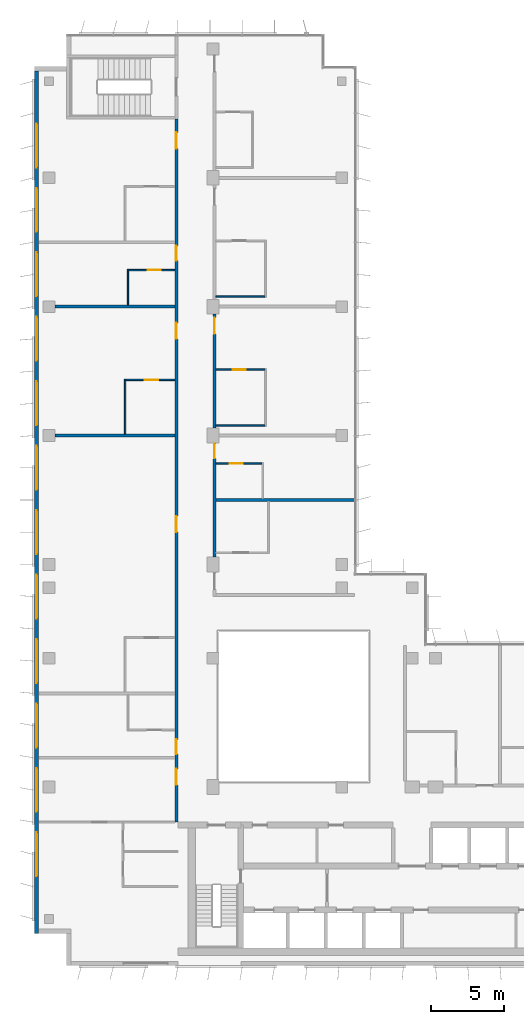
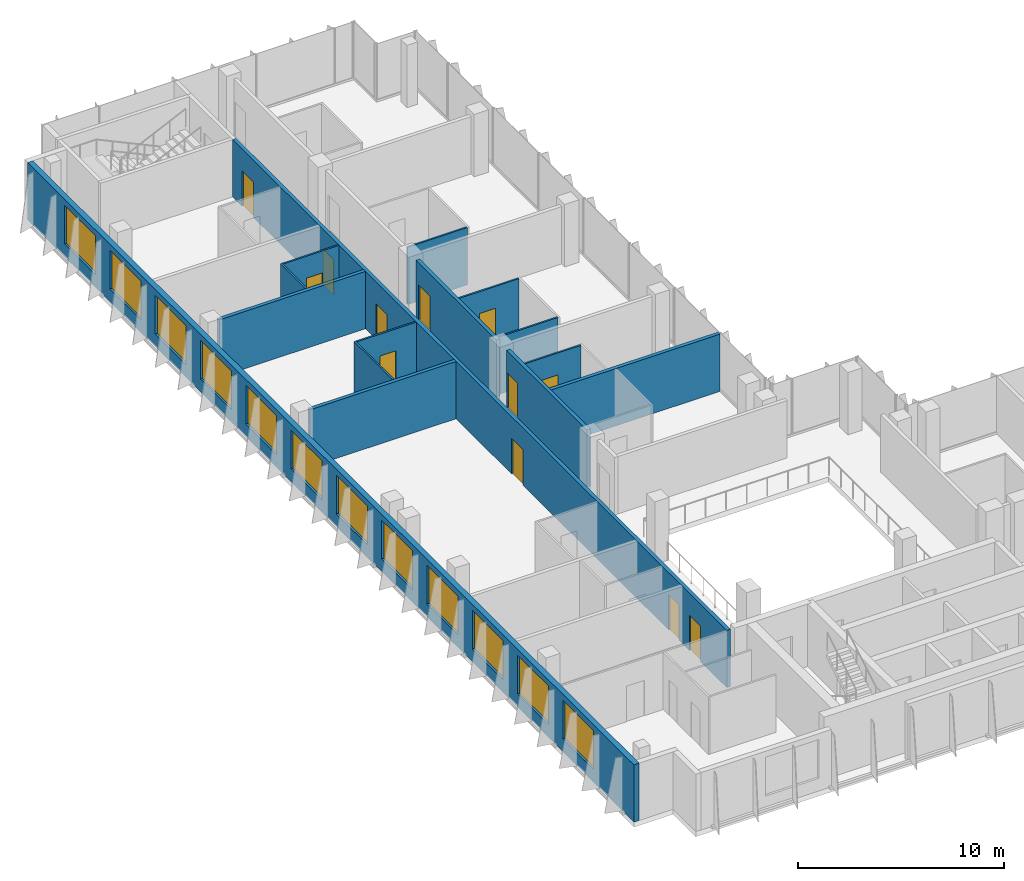
# One storey, part 11 of 15: 15 walls, 12 doors, 12 windows, 24 openings.
"""IFC4 building model written with IfcOpenShell, lengths in metres."""

from ifc_helpers import new_model, si_unit, direction, frame, frame_2d, origin, place, context, subcontext, project, spatial, rectangle, extrude, material, layer, layer_set, type_object, element, fill, save


model = new_model("IFC4")

# Units and contexts
model_context = context("Model", 3, precision=1e-05, world=origin(), true_north=direction((0.0, 1.0)))
body_context = subcontext(model_context, "Body", "Model", "MODEL_VIEW")
ifc_project = project(units=[si_unit("LENGTHUNIT", "METRE"), si_unit("AREAUNIT", "SQUARE_METRE"), si_unit("VOLUMEUNIT", "CUBIC_METRE"), si_unit("PLANEANGLEUNIT", "RADIAN"), si_unit("MASSUNIT", "GRAM", prefix="KILO")], contexts=[model_context])

# Site, building, storey
site_placement = place(None, origin())
site = spatial("IfcSite", under=ifc_project, at=site_placement, CompositionType="ELEMENT")
building_placement = place(site_placement, origin())
building = spatial("IfcBuilding", under=site, at=building_placement, Name="Kemantara Hotel Tower", CompositionType="ELEMENT")
storey_placement = place(building_placement, frame((0.0, 0.0, 233.89990234375)))
storey = spatial("IfcBuildingStorey", under=building, at=storey_placement, Name="L58", CompositionType="ELEMENT", Elevation=233.89990234375)

# Wall, openings, windows
ifc_material_1 = material(Name="Bronze anodised aluminium cladding on insulated steel stud wall", Category="steel")
ifc_layer_1 = layer(ifc_material_1, 0.300048828125)
ifc_layer_set_1 = layer_set([ifc_layer_1], Name="Bronze anodised aluminium cladding on insulated steel stud wall")
wall_type_1 = type_object("IfcWallType", Name="BRONZE METAL-CLAD EXTERNAL WALL 300", PredefinedType="STANDARD", material=ifc_layer_set_1)
wall_1_placement = place(storey_placement, frame((0.14990234375, 61.10009765625, 0.0), z_axis=(0.0, 0.0, 1.0), x_axis=(0.0, -1.0, 0.0)))
wall_1 = element("IfcWall", 1, at=wall_1_placement, inside=storey, type_object=wall_type_1, Name="EXTERNAL WALL L58 T4-R05", PredefinedType="STANDARD", context=body_context, shape_type="SweptSolid", body=[
    extrude(rectangle(XDim=58.900146484375, YDim=0.300048828125, at=frame_2d((29.4501953125, 0.0))), origin(), (0.0, 0.0, 1.0), 3.400146484375),
])
opening_1_placement = place(wall_1_placement, frame((3.60009765625, 0.0, 0.75)))
opening_1 = element("IfcOpeningElement", 2, at=opening_1_placement, cuts=wall_1, Name="Opening W1", PredefinedType="OPENING", context=body_context, shape_type="SweptSolid", body=[
    extrude(rectangle(XDim=3.0, YDim=2.300048828125, at=frame_2d((1.5, 1.14990234375))), frame((0.0, 0.159912109375, 0.0), z_axis=(0.0, -1.0, 0.0), x_axis=(1.0, 0.0, 0.0)), (0.0, 0.0, 1.0), 0.320068359375),
])
opening_2_placement = place(wall_1_placement, frame((8.0, 0.0, 0.75)))
opening_2 = element("IfcOpeningElement", 3, at=opening_2_placement, cuts=wall_1, Name="Opening W1", PredefinedType="OPENING", context=body_context, shape_type="SweptSolid", body=[
    extrude(rectangle(XDim=3.0, YDim=2.300048828125, at=frame_2d((1.5, 1.14990234375))), frame((0.0, 0.159912109375, 0.0), z_axis=(0.0, -1.0, 0.0), x_axis=(1.0, 0.0, 0.0)), (0.0, 0.0, 1.0), 0.320068359375),
])
opening_3_placement = place(wall_1_placement, frame((12.39990234375, 0.0, 0.75)))
opening_3 = element("IfcOpeningElement", 4, at=opening_3_placement, cuts=wall_1, Name="Opening W1", PredefinedType="OPENING", context=body_context, shape_type="SweptSolid", body=[
    extrude(rectangle(XDim=3.0, YDim=2.300048828125, at=frame_2d((1.5, 1.14990234375))), frame((0.0, 0.159912109375, 0.0), z_axis=(0.0, -1.0, 0.0), x_axis=(1.0, 0.0, 0.0)), (0.0, 0.0, 1.0), 0.320068359375),
])
opening_4_placement = place(wall_1_placement, frame((16.800048828125, 0.0, 0.75)))
opening_4 = element("IfcOpeningElement", 5, at=opening_4_placement, cuts=wall_1, Name="Opening W1", PredefinedType="OPENING", context=body_context, shape_type="SweptSolid", body=[
    extrude(rectangle(XDim=3.0, YDim=2.300048828125, at=frame_2d((1.5, 1.14990234375))), frame((0.0, 0.159912109375, 0.0), z_axis=(0.0, -1.0, 0.0), x_axis=(1.0, 0.0, 0.0)), (0.0, 0.0, 1.0), 0.320068359375),
])
opening_5_placement = place(wall_1_placement, frame((21.199951171875, 0.0, 0.75)))
opening_5 = element("IfcOpeningElement", 6, at=opening_5_placement, cuts=wall_1, Name="Opening W1", PredefinedType="OPENING", context=body_context, shape_type="SweptSolid", body=[
    extrude(rectangle(XDim=3.0, YDim=2.300048828125, at=frame_2d((1.5, 1.14990234375))), frame((0.0, 0.159912109375, 0.0), z_axis=(0.0, -1.0, 0.0), x_axis=(1.0, 0.0, 0.0)), (0.0, 0.0, 1.0), 0.320068359375),
])
opening_6_placement = place(wall_1_placement, frame((25.60009765625, 0.0, 0.75)))
opening_6 = element("IfcOpeningElement", 7, at=opening_6_placement, cuts=wall_1, Name="Opening W1", PredefinedType="OPENING", context=body_context, shape_type="SweptSolid", body=[
    extrude(rectangle(XDim=3.0, YDim=2.300048828125, at=frame_2d((1.5, 1.14990234375))), frame((0.0, 0.159912109375, 0.0), z_axis=(0.0, -1.0, 0.0), x_axis=(1.0, 0.0, 0.0)), (0.0, 0.0, 1.0), 0.320068359375),
])
opening_7_placement = place(wall_1_placement, frame((30.0, 0.0, 0.75)))
opening_7 = element("IfcOpeningElement", 8, at=opening_7_placement, cuts=wall_1, Name="Opening W1", PredefinedType="OPENING", context=body_context, shape_type="SweptSolid", body=[
    extrude(rectangle(XDim=3.0, YDim=2.300048828125, at=frame_2d((1.5, 1.14990234375))), frame((0.0, 0.159912109375, 0.0), z_axis=(0.0, -1.0, 0.0), x_axis=(1.0, 0.0, 0.0)), (0.0, 0.0, 1.0), 0.320068359375),
])
opening_8_placement = place(wall_1_placement, frame((34.39990234375, 0.0, 0.75)))
opening_8 = element("IfcOpeningElement", 9, at=opening_8_placement, cuts=wall_1, Name="Opening W1", PredefinedType="OPENING", context=body_context, shape_type="SweptSolid", body=[
    extrude(rectangle(XDim=3.0, YDim=2.300048828125, at=frame_2d((1.5, 1.14990234375))), frame((0.0, 0.159912109375, 0.0), z_axis=(0.0, -1.0, 0.0), x_axis=(1.0, 0.0, 0.0)), (0.0, 0.0, 1.0), 0.320068359375),
])
opening_9_placement = place(wall_1_placement, frame((38.800048828125, 0.0, 0.75)))
opening_9 = element("IfcOpeningElement", 10, at=opening_9_placement, cuts=wall_1, Name="Opening W1", PredefinedType="OPENING", context=body_context, shape_type="SweptSolid", body=[
    extrude(rectangle(XDim=3.0, YDim=2.300048828125, at=frame_2d((1.5, 1.14990234375))), frame((0.0, 0.159912109375, 0.0), z_axis=(0.0, -1.0, 0.0), x_axis=(1.0, 0.0, 0.0)), (0.0, 0.0, 1.0), 0.320068359375),
])
opening_10_placement = place(wall_1_placement, frame((43.199951171875, 0.0, 0.75)))
opening_10 = element("IfcOpeningElement", 11, at=opening_10_placement, cuts=wall_1, Name="Opening W1", PredefinedType="OPENING", context=body_context, shape_type="SweptSolid", body=[
    extrude(rectangle(XDim=3.0, YDim=2.300048828125, at=frame_2d((1.5, 1.14990234375))), frame((0.0, 0.159912109375, 0.0), z_axis=(0.0, -1.0, 0.0), x_axis=(1.0, 0.0, 0.0)), (0.0, 0.0, 1.0), 0.320068359375),
])
opening_11_placement = place(wall_1_placement, frame((47.60009765625, 0.0, 0.75)))
opening_11 = element("IfcOpeningElement", 12, at=opening_11_placement, cuts=wall_1, Name="Opening W1", PredefinedType="OPENING", context=body_context, shape_type="SweptSolid", body=[
    extrude(rectangle(XDim=3.0, YDim=2.300048828125, at=frame_2d((1.5, 1.14990234375))), frame((0.0, 0.159912109375, 0.0), z_axis=(0.0, -1.0, 0.0), x_axis=(1.0, 0.0, 0.0)), (0.0, 0.0, 1.0), 0.320068359375),
])
opening_12_placement = place(wall_1_placement, frame((52.0, 0.0, 0.75)))
opening_12 = element("IfcOpeningElement", 13, at=opening_12_placement, cuts=wall_1, Name="Opening W1", PredefinedType="OPENING", context=body_context, shape_type="SweptSolid", body=[
    extrude(rectangle(XDim=3.0, YDim=2.300048828125, at=frame_2d((1.5, 1.14990234375))), frame((0.0, 0.159912109375, 0.0), z_axis=(0.0, -1.0, 0.0), x_axis=(1.0, 0.0, 0.0)), (0.0, 0.0, 1.0), 0.320068359375),
])
ifc_material_2 = material(Name="Low-E tinted double insulated glass in bronze anodised aluminium frame", Category="aluminium")
window_type = type_object("IfcWindowType", Name="CHICAGO WINDOW, TRIPLE PANEL 3000x2300", PartitioningType="TRIPLE_PANEL_VERTICAL", PredefinedType="WINDOW", material=ifc_material_2)
window_1_placement = place(opening_1_placement, origin())
window_1 = element("IfcWindow", 14, at=window_1_placement, inside=storey, type_object=window_type, Name="CHICAGO WINDOW L58 T4-R05-54", OverallHeight=2.300048828125, OverallWidth=3.0, PartitioningType="SINGLE_PANEL", PredefinedType="WINDOW", context=body_context, shape_type="SweptSolid", body=[
    extrude(rectangle(XDim=3.0, YDim=2.300048828125, at=frame_2d((1.5, 1.14990234375))), frame((0.0, 0.030029296875, 0.0), z_axis=(0.0, -1.0, 0.0), x_axis=(1.0, 0.0, 0.0)), (0.0, 0.0, 1.0), 0.06005859375),
])
fill(opening_1, window_1)
window_2_placement = place(opening_2_placement, origin())
window_2 = element("IfcWindow", 15, at=window_2_placement, inside=storey, type_object=window_type, Name="CHICAGO WINDOW L58 T4-R05-98", OverallHeight=2.300048828125, OverallWidth=3.0, PartitioningType="SINGLE_PANEL", PredefinedType="WINDOW", context=body_context, shape_type="SweptSolid", body=[
    extrude(rectangle(XDim=3.0, YDim=2.300048828125, at=frame_2d((1.5, 1.14990234375))), frame((0.0, 0.030029296875, 0.0), z_axis=(0.0, -1.0, 0.0), x_axis=(1.0, 0.0, 0.0)), (0.0, 0.0, 1.0), 0.06005859375),
])
fill(opening_2, window_2)
window_3_placement = place(opening_3_placement, origin())
window_3 = element("IfcWindow", 16, at=window_3_placement, inside=storey, type_object=window_type, Name="CHICAGO WINDOW L58 T4-R05-142", OverallHeight=2.300048828125, OverallWidth=3.0, PartitioningType="SINGLE_PANEL", PredefinedType="WINDOW", context=body_context, shape_type="SweptSolid", body=[
    extrude(rectangle(XDim=3.0, YDim=2.300048828125, at=frame_2d((1.5, 1.14990234375))), frame((0.0, 0.030029296875, 0.0), z_axis=(0.0, -1.0, 0.0), x_axis=(1.0, 0.0, 0.0)), (0.0, 0.0, 1.0), 0.06005859375),
])
fill(opening_3, window_3)
window_4_placement = place(opening_4_placement, origin())
window_4 = element("IfcWindow", 17, at=window_4_placement, inside=storey, type_object=window_type, Name="CHICAGO WINDOW L58 T4-R05-186", OverallHeight=2.300048828125, OverallWidth=3.0, PartitioningType="SINGLE_PANEL", PredefinedType="WINDOW", context=body_context, shape_type="SweptSolid", body=[
    extrude(rectangle(XDim=3.0, YDim=2.300048828125, at=frame_2d((1.5, 1.14990234375))), frame((0.0, 0.030029296875, 0.0), z_axis=(0.0, -1.0, 0.0), x_axis=(1.0, 0.0, 0.0)), (0.0, 0.0, 1.0), 0.06005859375),
])
fill(opening_4, window_4)
window_5_placement = place(opening_5_placement, origin())
window_5 = element("IfcWindow", 18, at=window_5_placement, inside=storey, type_object=window_type, Name="CHICAGO WINDOW L58 T4-R05-230", OverallHeight=2.300048828125, OverallWidth=3.0, PartitioningType="SINGLE_PANEL", PredefinedType="WINDOW", context=body_context, shape_type="SweptSolid", body=[
    extrude(rectangle(XDim=3.0, YDim=2.300048828125, at=frame_2d((1.5, 1.14990234375))), frame((0.0, 0.030029296875, 0.0), z_axis=(0.0, -1.0, 0.0), x_axis=(1.0, 0.0, 0.0)), (0.0, 0.0, 1.0), 0.06005859375),
])
fill(opening_5, window_5)
window_6_placement = place(opening_6_placement, origin())
window_6 = element("IfcWindow", 19, at=window_6_placement, inside=storey, type_object=window_type, Name="CHICAGO WINDOW L58 T4-R05-274", OverallHeight=2.300048828125, OverallWidth=3.0, PartitioningType="SINGLE_PANEL", PredefinedType="WINDOW", context=body_context, shape_type="SweptSolid", body=[
    extrude(rectangle(XDim=3.0, YDim=2.300048828125, at=frame_2d((1.5, 1.14990234375))), frame((0.0, 0.030029296875, 0.0), z_axis=(0.0, -1.0, 0.0), x_axis=(1.0, 0.0, 0.0)), (0.0, 0.0, 1.0), 0.06005859375),
])
fill(opening_6, window_6)
window_7_placement = place(opening_7_placement, origin())
window_7 = element("IfcWindow", 20, at=window_7_placement, inside=storey, type_object=window_type, Name="CHICAGO WINDOW L58 T4-R05-318", OverallHeight=2.300048828125, OverallWidth=3.0, PartitioningType="SINGLE_PANEL", PredefinedType="WINDOW", context=body_context, shape_type="SweptSolid", body=[
    extrude(rectangle(XDim=3.0, YDim=2.300048828125, at=frame_2d((1.5, 1.14990234375))), frame((0.0, 0.030029296875, 0.0), z_axis=(0.0, -1.0, 0.0), x_axis=(1.0, 0.0, 0.0)), (0.0, 0.0, 1.0), 0.06005859375),
])
fill(opening_7, window_7)
window_8_placement = place(opening_8_placement, origin())
window_8 = element("IfcWindow", 21, at=window_8_placement, inside=storey, type_object=window_type, Name="CHICAGO WINDOW L58 T4-R05-362", OverallHeight=2.300048828125, OverallWidth=3.0, PartitioningType="SINGLE_PANEL", PredefinedType="WINDOW", context=body_context, shape_type="SweptSolid", body=[
    extrude(rectangle(XDim=3.0, YDim=2.300048828125, at=frame_2d((1.5, 1.14990234375))), frame((0.0, 0.030029296875, 0.0), z_axis=(0.0, -1.0, 0.0), x_axis=(1.0, 0.0, 0.0)), (0.0, 0.0, 1.0), 0.06005859375),
])
fill(opening_8, window_8)
window_9_placement = place(opening_9_placement, origin())
window_9 = element("IfcWindow", 22, at=window_9_placement, inside=storey, type_object=window_type, Name="CHICAGO WINDOW L58 T4-R05-406", OverallHeight=2.300048828125, OverallWidth=3.0, PartitioningType="SINGLE_PANEL", PredefinedType="WINDOW", context=body_context, shape_type="SweptSolid", body=[
    extrude(rectangle(XDim=3.0, YDim=2.300048828125, at=frame_2d((1.5, 1.14990234375))), frame((0.0, 0.030029296875, 0.0), z_axis=(0.0, -1.0, 0.0), x_axis=(1.0, 0.0, 0.0)), (0.0, 0.0, 1.0), 0.06005859375),
])
fill(opening_9, window_9)
window_10_placement = place(opening_10_placement, origin())
window_10 = element("IfcWindow", 23, at=window_10_placement, inside=storey, type_object=window_type, Name="CHICAGO WINDOW L58 T4-R05-450", OverallHeight=2.300048828125, OverallWidth=3.0, PartitioningType="SINGLE_PANEL", PredefinedType="WINDOW", context=body_context, shape_type="SweptSolid", body=[
    extrude(rectangle(XDim=3.0, YDim=2.300048828125, at=frame_2d((1.5, 1.14990234375))), frame((0.0, 0.030029296875, 0.0), z_axis=(0.0, -1.0, 0.0), x_axis=(1.0, 0.0, 0.0)), (0.0, 0.0, 1.0), 0.06005859375),
])
fill(opening_10, window_10)
window_11_placement = place(opening_11_placement, origin())
window_11 = element("IfcWindow", 24, at=window_11_placement, inside=storey, type_object=window_type, Name="CHICAGO WINDOW L58 T4-R05-494", OverallHeight=2.300048828125, OverallWidth=3.0, PartitioningType="SINGLE_PANEL", PredefinedType="WINDOW", context=body_context, shape_type="SweptSolid", body=[
    extrude(rectangle(XDim=3.0, YDim=2.300048828125, at=frame_2d((1.5, 1.14990234375))), frame((0.0, 0.030029296875, 0.0), z_axis=(0.0, -1.0, 0.0), x_axis=(1.0, 0.0, 0.0)), (0.0, 0.0, 1.0), 0.06005859375),
])
fill(opening_11, window_11)
window_12_placement = place(opening_12_placement, origin())
window_12 = element("IfcWindow", 25, at=window_12_placement, inside=storey, type_object=window_type, Name="CHICAGO WINDOW L58 T4-R05-538", OverallHeight=2.300048828125, OverallWidth=3.0, PartitioningType="SINGLE_PANEL", PredefinedType="WINDOW", context=body_context, shape_type="SweptSolid", body=[
    extrude(rectangle(XDim=3.0, YDim=2.300048828125, at=frame_2d((1.5, 1.14990234375))), frame((0.0, 0.030029296875, 0.0), z_axis=(0.0, -1.0, 0.0), x_axis=(1.0, 0.0, 0.0)), (0.0, 0.0, 1.0), 0.06005859375),
])
fill(opening_12, window_12)

# Wall, openings, doors
ifc_material_3 = material(Name="Gypsum board partition, steel studs and mineral wool, 200 mm", Category="steel")
ifc_layer_2 = layer(ifc_material_3, 0.199951171875)
ifc_layer_set_2 = layer_set([ifc_layer_2], Name="Gypsum board partition, steel studs and mineral wool, 200 mm")
wall_type_2 = type_object("IfcWallType", Name="CORRIDOR WALL 200", PredefinedType="PARTITIONING", material=ifc_layer_set_2)
wall_2_placement = place(storey_placement, frame((9.699951171875, 9.800048828125, 0.0), z_axis=(0.0, 0.0, 1.0), x_axis=(0.0, 1.0, 0.0)))
wall_2 = element("IfcWall", 26, at=wall_2_placement, inside=storey, type_object=wall_type_2, Name="CORRIDOR WALL 200 006", PredefinedType="PARTITIONING", context=body_context, shape_type="SweptSolid", body=[
    extrude(rectangle(XDim=48.0, YDim=0.199951171875, at=frame_2d((24.0, 0.0))), origin(), (0.0, 0.0, 1.0), 3.400146484375),
])
opening_13_placement = place(wall_2_placement, frame((2.550048828125, 0.0, 0.0)))
opening_13 = element("IfcOpeningElement", 27, at=opening_13_placement, cuts=wall_2, Name="Opening F28-005", PredefinedType="OPENING", context=body_context, shape_type="SweptSolid", body=[
    extrude(rectangle(XDim=1.10009765625, YDim=2.10009765625, at=frame_2d((0.550048828125, 1.050048828125))), frame((0.0, 0.10986328125, 0.0), z_axis=(0.0, -1.0, 0.0), x_axis=(1.0, 0.0, 0.0)), (0.0, 0.0, 1.0), 0.219970703125),
])
opening_14_placement = place(wall_2_placement, frame((4.64990234375, 0.0, 0.0)))
opening_14 = element("IfcOpeningElement", 28, at=opening_14_placement, cuts=wall_2, Name="Opening F28-009", PredefinedType="OPENING", context=body_context, shape_type="SweptSolid", body=[
    extrude(rectangle(XDim=1.0, YDim=2.10009765625, at=frame_2d((0.5, 1.050048828125))), frame((0.0, 0.10986328125, 0.0), z_axis=(0.0, -1.0, 0.0), x_axis=(1.0, 0.0, 0.0)), (0.0, 0.0, 1.0), 0.219970703125),
])
opening_15_placement = place(wall_2_placement, frame((19.800048828125, 0.0, 0.0)))
opening_15 = element("IfcOpeningElement", 29, at=opening_15_placement, cuts=wall_2, Name="Opening F28-011", PredefinedType="OPENING", context=body_context, shape_type="SweptSolid", body=[
    extrude(rectangle(XDim=1.10009765625, YDim=2.10009765625, at=frame_2d((0.550048828125, 1.050048828125))), frame((0.0, 0.10986328125, 0.0), z_axis=(0.0, -1.0, 0.0), x_axis=(1.0, 0.0, 0.0)), (0.0, 0.0, 1.0), 0.219970703125),
])
opening_16_placement = place(wall_2_placement, frame((33.0, 0.0, 0.0)))
opening_16 = element("IfcOpeningElement", 30, at=opening_16_placement, cuts=wall_2, Name="Opening F28-013", PredefinedType="OPENING", context=body_context, shape_type="SweptSolid", body=[
    extrude(rectangle(XDim=1.10009765625, YDim=2.10009765625, at=frame_2d((0.550048828125, 1.050048828125))), frame((0.0, 0.10986328125, 0.0), z_axis=(0.0, -1.0, 0.0), x_axis=(1.0, 0.0, 0.0)), (0.0, 0.0, 1.0), 0.219970703125),
])
opening_17_placement = place(wall_2_placement, frame((38.35009765625, 0.0, 0.0)))
opening_17 = element("IfcOpeningElement", 31, at=opening_17_placement, cuts=wall_2, Name="Opening F28-015", PredefinedType="OPENING", context=body_context, shape_type="SweptSolid", body=[
    extrude(rectangle(XDim=1.0, YDim=2.10009765625, at=frame_2d((0.5, 1.050048828125))), frame((0.0, 0.10986328125, 0.0), z_axis=(0.0, -1.0, 0.0), x_axis=(1.0, 0.0, 0.0)), (0.0, 0.0, 1.0), 0.219970703125),
])
opening_18_placement = place(wall_2_placement, frame((46.0, 0.0, 0.0)))
opening_18 = element("IfcOpeningElement", 32, at=opening_18_placement, cuts=wall_2, Name="Opening F28-017", PredefinedType="OPENING", context=body_context, shape_type="SweptSolid", body=[
    extrude(rectangle(XDim=1.10009765625, YDim=2.10009765625, at=frame_2d((0.550048828125, 1.050048828125))), frame((0.0, 0.10986328125, 0.0), z_axis=(0.0, -1.0, 0.0), x_axis=(1.0, 0.0, 0.0)), (0.0, 0.0, 1.0), 0.219970703125),
])
ifc_material_4 = material(Name="Hardwood veneer door leaf with steel frame", Category="steel")
door_type_1 = type_object("IfcDoorType", Name="GUEST ROOM DOOR 1000 X 2100 FD30S", OperationType="NOTDEFINED", PredefinedType="DOOR", material=ifc_material_4)
door_1_placement = place(opening_14_placement, origin())
door_1 = element("IfcDoor", 33, at=door_1_placement, inside=storey, type_object=door_type_1, Name="GUEST ROOM DOOR F28-009", OperationType="SINGLE_SWING_LEFT", OverallHeight=2.10009765625, OverallWidth=1.0, PredefinedType="DOOR", context=body_context, shape_type="SweptSolid", body=[
    extrude(rectangle(XDim=1.0, YDim=2.10009765625, at=frame_2d((0.5, 1.050048828125))), frame((0.0, 0.02490234375, 0.0), z_axis=(0.0, -1.0, 0.0), x_axis=(1.0, 0.0, 0.0)), (0.0, 0.0, 1.0), 0.050048828125),
])
fill(opening_14, door_1)
door_2_placement = place(opening_17_placement, origin())
door_2 = element("IfcDoor", 34, at=door_2_placement, inside=storey, type_object=door_type_1, Name="GUEST ROOM DOOR F28-015", OperationType="SINGLE_SWING_RIGHT", OverallHeight=2.10009765625, OverallWidth=1.0, PredefinedType="DOOR", context=body_context, shape_type="SweptSolid", body=[
    extrude(rectangle(XDim=1.0, YDim=2.10009765625, at=frame_2d((0.5, 1.050048828125))), frame((0.0, 0.02490234375, 0.0), z_axis=(0.0, -1.0, 0.0), x_axis=(1.0, 0.0, 0.0)), (0.0, 0.0, 1.0), 0.050048828125),
])
fill(opening_17, door_2)
door_type_2 = type_object("IfcDoorType", Name="SUITE ENTRANCE DOOR 1100 X 2100 FD30S", OperationType="NOTDEFINED", PredefinedType="DOOR", material=ifc_material_4)
door_3_placement = place(opening_13_placement, origin())
door_3 = element("IfcDoor", 35, at=door_3_placement, inside=storey, type_object=door_type_2, Name="SUITE ENTRANCE DOOR F28-005", OperationType="SINGLE_SWING_RIGHT", OverallHeight=2.10009765625, OverallWidth=1.10009765625, PredefinedType="DOOR", context=body_context, shape_type="SweptSolid", body=[
    extrude(rectangle(XDim=1.10009765625, YDim=2.10009765625, at=frame_2d((0.550048828125, 1.050048828125))), frame((0.0, 0.02490234375, 0.0), z_axis=(0.0, -1.0, 0.0), x_axis=(1.0, 0.0, 0.0)), (0.0, 0.0, 1.0), 0.050048828125),
])
fill(opening_13, door_3)
door_4_placement = place(opening_15_placement, origin())
door_4 = element("IfcDoor", 36, at=door_4_placement, inside=storey, type_object=door_type_2, Name="SUITE ENTRANCE DOOR F28-011", OperationType="SINGLE_SWING_RIGHT", OverallHeight=2.10009765625, OverallWidth=1.10009765625, PredefinedType="DOOR", context=body_context, shape_type="SweptSolid", body=[
    extrude(rectangle(XDim=1.10009765625, YDim=2.10009765625, at=frame_2d((0.550048828125, 1.050048828125))), frame((0.0, 0.02490234375, 0.0), z_axis=(0.0, -1.0, 0.0), x_axis=(1.0, 0.0, 0.0)), (0.0, 0.0, 1.0), 0.050048828125),
])
fill(opening_15, door_4)
door_5_placement = place(opening_16_placement, origin())
door_5 = element("IfcDoor", 37, at=door_5_placement, inside=storey, type_object=door_type_2, Name="SUITE ENTRANCE DOOR F28-013", OperationType="SINGLE_SWING_RIGHT", OverallHeight=2.10009765625, OverallWidth=1.10009765625, PredefinedType="DOOR", context=body_context, shape_type="SweptSolid", body=[
    extrude(rectangle(XDim=1.10009765625, YDim=2.10009765625, at=frame_2d((0.550048828125, 1.050048828125))), frame((0.0, 0.02490234375, 0.0), z_axis=(0.0, -1.0, 0.0), x_axis=(1.0, 0.0, 0.0)), (0.0, 0.0, 1.0), 0.050048828125),
])
fill(opening_16, door_5)
door_6_placement = place(opening_18_placement, origin())
door_6 = element("IfcDoor", 38, at=door_6_placement, inside=storey, type_object=door_type_2, Name="SUITE ENTRANCE DOOR F28-017", OperationType="SINGLE_SWING_RIGHT", OverallHeight=2.10009765625, OverallWidth=1.10009765625, PredefinedType="DOOR", context=body_context, shape_type="SweptSolid", body=[
    extrude(rectangle(XDim=1.10009765625, YDim=2.10009765625, at=frame_2d((0.550048828125, 1.050048828125))), frame((0.0, 0.02490234375, 0.0), z_axis=(0.0, -1.0, 0.0), x_axis=(1.0, 0.0, 0.0)), (0.0, 0.0, 1.0), 0.050048828125),
])
fill(opening_18, door_6)

# Wall, opening, door
wall_3_placement = place(storey_placement, frame((12.300048828125, 35.699951171875, 0.0), z_axis=(0.0, 0.0, 1.0), x_axis=(0.0, -1.0, 0.0)))
wall_3 = element("IfcWall", 39, at=wall_3_placement, inside=storey, type_object=wall_type_2, Name="CORRIDOR WALL 200 016", PredefinedType="PARTITIONING", context=body_context, shape_type="SweptSolid", body=[
    extrude(rectangle(XDim=7.7998046875, YDim=0.199951171875, at=frame_2d((3.89990234375, 0.0))), origin(), (0.0, 0.0, 1.0), 3.400146484375),
])
opening_19_placement = place(wall_3_placement, frame((0.0498046875, 0.0, 0.0)))
opening_19 = element("IfcOpeningElement", 40, at=opening_19_placement, cuts=wall_3, Name="Opening F28-021", PredefinedType="OPENING", context=body_context, shape_type="SweptSolid", body=[
    extrude(rectangle(XDim=1.0, YDim=2.10009765625, at=frame_2d((0.5, 1.050048828125))), frame((0.0, 0.10986328125, 0.0), z_axis=(0.0, -1.0, 0.0), x_axis=(1.0, 0.0, 0.0)), (0.0, 0.0, 1.0), 0.219970703125),
])
door_7_placement = place(opening_19_placement, origin())
door_7 = element("IfcDoor", 41, at=door_7_placement, inside=storey, type_object=door_type_1, Name="GUEST ROOM DOOR F28-021", OperationType="SINGLE_SWING_LEFT", OverallHeight=2.10009765625, OverallWidth=1.0, PredefinedType="DOOR", context=body_context, shape_type="SweptSolid", body=[
    extrude(rectangle(XDim=1.0, YDim=2.10009765625, at=frame_2d((0.5, 1.050048828125))), frame((0.0, 0.02490234375, 0.0), z_axis=(0.0, -1.0, 0.0), x_axis=(1.0, 0.0, 0.0)), (0.0, 0.0, 1.0), 0.050048828125),
])
fill(opening_19, door_7)

wall_4_placement = place(storey_placement, frame((12.300048828125, 44.5, 0.0), z_axis=(0.0, 0.0, 1.0), x_axis=(0.0, -1.0, 0.0)))
wall_4 = element("IfcWall", 42, at=wall_4_placement, inside=storey, type_object=wall_type_2, Name="CORRIDOR WALL 200 017", PredefinedType="PARTITIONING", context=body_context, shape_type="SweptSolid", body=[
    extrude(rectangle(XDim=7.7998046875, YDim=0.199951171875, at=frame_2d((3.89990234375, 0.0))), origin(), (0.0, 0.0, 1.0), 3.400146484375),
])
opening_20_placement = place(wall_4_placement, frame((0.25, 0.0, 0.0)))
opening_20 = element("IfcOpeningElement", 43, at=opening_20_placement, cuts=wall_4, Name="Opening F28-023", PredefinedType="OPENING", context=body_context, shape_type="SweptSolid", body=[
    extrude(rectangle(XDim=1.10009765625, YDim=2.10009765625, at=frame_2d((0.550048828125, 1.050048828125))), frame((0.0, 0.10986328125, 0.0), z_axis=(0.0, -1.0, 0.0), x_axis=(1.0, 0.0, 0.0)), (0.0, 0.0, 1.0), 0.219970703125),
])
door_8_placement = place(opening_20_placement, origin())
door_8 = element("IfcDoor", 44, at=door_8_placement, inside=storey, type_object=door_type_2, Name="SUITE ENTRANCE DOOR F28-023", OperationType="SINGLE_SWING_LEFT", OverallHeight=2.10009765625, OverallWidth=1.10009765625, PredefinedType="DOOR", context=body_context, shape_type="SweptSolid", body=[
    extrude(rectangle(XDim=1.10009765625, YDim=2.10009765625, at=frame_2d((0.550048828125, 1.050048828125))), frame((0.0, 0.02490234375, 0.0), z_axis=(0.0, -1.0, 0.0), x_axis=(1.0, 0.0, 0.0)), (0.0, 0.0, 1.0), 0.050048828125),
])
fill(opening_20, door_8)

# Walls
ifc_layer_3 = layer(ifc_material_3, 0.199951171875)
ifc_layer_set_3 = layer_set([ifc_layer_3], Name="Gypsum board partition, steel studs and mineral wool, 200 mm")
wall_type_3 = type_object("IfcWallType", Name="GUEST ROOM PARTY WALL 200", PredefinedType="PARTITIONING", material=ifc_layer_set_3)
for number, where, z_axis, x_axis, name in (
    (45, (1.400146484375, 36.199951171875, 0.0), (0.0, 0.0, 1.0), (1.0, 0.0, 0.0), "GUEST ROOM PARTY WALL 200 010"),
    (46, (1.400146484375, 45.0, 0.0), (0.0, 0.0, 1.0), (1.0, 0.0, 0.0), "GUEST ROOM PARTY WALL 200 012"),
):
    element("IfcWall", number, at=place(storey_placement, frame(where, z_axis=z_axis, x_axis=x_axis)), inside=storey, type_object=wall_type_3, Name=name, PredefinedType="PARTITIONING", context=body_context, shape_type="SweptSolid", body=[
        extrude(rectangle(XDim=8.199951171875, YDim=0.199951171875, at=frame_2d((4.10009765625, 0.0))), origin(), (0.0, 0.0, 1.0), 3.400146484375),
    ])
wall_5_placement = place(storey_placement, frame((12.39990234375, 31.800048828125, 0.0), z_axis=(0.0, 0.0, 1.0), x_axis=(1.0, 0.0, 0.0)))
element("IfcWall", 47, at=wall_5_placement, inside=storey, type_object=wall_type_3, Name="GUEST ROOM PARTY WALL 200 021", PredefinedType="PARTITIONING", context=body_context, shape_type="SweptSolid", body=[
    extrude(rectangle(XDim=9.47021484375, YDim=0.199951171875, at=frame_2d((4.735107421875, 0.0))), origin(), (0.0, 0.0, 1.0), 3.400146484375),
])
ifc_material_5 = material(Name="Gypsum board partition on steel studs, 100 mm", Category="steel")
ifc_layer_4 = layer(ifc_material_5, 0.10009765625)
ifc_layer_set_4 = layer_set([ifc_layer_4], Name="Gypsum board partition on steel studs, 100 mm")
wall_type_4 = type_object("IfcWallType", Name="ROOM PARTITION 100", PredefinedType="PARTITIONING", material=ifc_layer_set_4)
wall_6_placement = place(storey_placement, frame((6.39990234375, 45.10009765625, 0.0), z_axis=(0.0, 0.0, 1.0), x_axis=(0.0, 1.0, 0.0)))
element("IfcWall", 48, at=wall_6_placement, inside=storey, type_object=wall_type_4, Name="ROOM PARTITION 100 032", PredefinedType="PARTITIONING", context=body_context, shape_type="SweptSolid", body=[
    extrude(rectangle(XDim=2.449951171875, YDim=0.10009765625, at=frame_2d((1.22509765625, 0.0))), origin(), (0.0, 0.0, 1.0), 3.400146484375),
])
wall_7_placement = place(storey_placement, frame((6.199951171875, 36.300048828125, 0.0), z_axis=(0.0, 0.0, 1.0), x_axis=(0.0, 1.0, 0.0)))
element("IfcWall", 49, at=wall_7_placement, inside=storey, type_object=wall_type_4, Name="ROOM PARTITION 100 035", PredefinedType="PARTITIONING", context=body_context, shape_type="SweptSolid", body=[
    extrude(rectangle(XDim=3.75, YDim=0.10009765625, at=frame_2d((1.875, 0.0))), origin(), (0.0, 0.0, 1.0), 3.400146484375),
])

# Wall, opening, door
wall_8_placement = place(storey_placement, frame((9.60009765625, 40.0, 0.0), z_axis=(0.0, 0.0, 1.0), x_axis=(-1.0, 0.0, 0.0)))
wall_8 = element("IfcWall", 50, at=wall_8_placement, inside=storey, type_object=wall_type_4, Name="ROOM PARTITION 100 038", PredefinedType="PARTITIONING", context=body_context, shape_type="SweptSolid", body=[
    extrude(rectangle(XDim=3.35009765625, YDim=0.10009765625, at=frame_2d((1.675048828125, 0.0))), origin(), (0.0, 0.0, 1.0), 3.400146484375),
])
opening_21_placement = place(wall_8_placement, frame((1.14990234375, 0.0, 0.0)))
opening_21 = element("IfcOpeningElement", 51, at=opening_21_placement, cuts=wall_8, Name="Opening F28-014", PredefinedType="OPENING", context=body_context, shape_type="SweptSolid", body=[
    extrude(rectangle(XDim=0.89990234375, YDim=2.10009765625, at=frame_2d((0.449951171875, 1.050048828125))), frame((0.0, 0.06005859375, 0.0), z_axis=(0.0, -1.0, 0.0), x_axis=(1.0, 0.0, 0.0)), (0.0, 0.0, 1.0), 0.1201171875),
])
door_type_3 = type_object("IfcDoorType", Name="BATHROOM DOOR 900 X 2100", OperationType="NOTDEFINED", PredefinedType="DOOR", material=ifc_material_4)
door_9_placement = place(opening_21_placement, origin())
door_9 = element("IfcDoor", 52, at=door_9_placement, inside=storey, type_object=door_type_3, Name="BATHROOM DOOR F28-014", OperationType="SINGLE_SWING_LEFT", OverallHeight=2.10009765625, OverallWidth=0.89990234375, PredefinedType="DOOR", context=body_context, shape_type="SweptSolid", body=[
    extrude(rectangle(XDim=0.89990234375, YDim=2.10009765625, at=frame_2d((0.449951171875, 1.050048828125))), frame((0.0, 0.02490234375, 0.0), z_axis=(0.0, -1.0, 0.0), x_axis=(1.0, 0.0, 0.0)), (0.0, 0.0, 1.0), 0.050048828125),
])
fill(opening_21, door_9)

wall_9_placement = place(storey_placement, frame((9.60009765625, 47.5, 0.0), z_axis=(0.0, 0.0, 1.0), x_axis=(-1.0, 0.0, 0.0)))
wall_9 = element("IfcWall", 53, at=wall_9_placement, inside=storey, type_object=wall_type_4, Name="ROOM PARTITION 100 039", PredefinedType="PARTITIONING", context=body_context, shape_type="SweptSolid", body=[
    extrude(rectangle(XDim=3.150146484375, YDim=0.10009765625, at=frame_2d((1.5751953125, 0.0))), origin(), (0.0, 0.0, 1.0), 3.400146484375),
])
opening_22_placement = place(wall_9_placement, frame((0.949951171875, 0.0, 0.0)))
opening_22 = element("IfcOpeningElement", 54, at=opening_22_placement, cuts=wall_9, Name="Opening F28-016", PredefinedType="OPENING", context=body_context, shape_type="SweptSolid", body=[
    extrude(rectangle(XDim=0.89990234375, YDim=2.10009765625, at=frame_2d((0.449951171875, 1.050048828125))), frame((0.0, 0.06005859375, 0.0), z_axis=(0.0, -1.0, 0.0), x_axis=(1.0, 0.0, 0.0)), (0.0, 0.0, 1.0), 0.1201171875),
])
door_10_placement = place(opening_22_placement, origin())
door_10 = element("IfcDoor", 55, at=door_10_placement, inside=storey, type_object=door_type_3, Name="BATHROOM DOOR F28-016", OperationType="SINGLE_SWING_LEFT", OverallHeight=2.10009765625, OverallWidth=0.89990234375, PredefinedType="DOOR", context=body_context, shape_type="SweptSolid", body=[
    extrude(rectangle(XDim=0.89990234375, YDim=2.10009765625, at=frame_2d((0.449951171875, 1.050048828125))), frame((0.0, 0.02490234375, 0.0), z_axis=(0.0, -1.0, 0.0), x_axis=(1.0, 0.0, 0.0)), (0.0, 0.0, 1.0), 0.050048828125),
])
fill(opening_22, door_10)

wall_10_placement = place(storey_placement, frame((15.550048828125, 34.300048828125, 0.0), z_axis=(0.0, 0.0, 1.0), x_axis=(-1.0, 0.0, 0.0)))
wall_10 = element("IfcWall", 56, at=wall_10_placement, inside=storey, type_object=wall_type_4, Name="ROOM PARTITION 100 044", PredefinedType="PARTITIONING", context=body_context, shape_type="SweptSolid", body=[
    extrude(rectangle(XDim=3.150146484375, YDim=0.10009765625, at=frame_2d((1.5751953125, 0.0))), origin(), (0.0, 0.0, 1.0), 3.400146484375),
])
opening_23_placement = place(wall_10_placement, frame((1.300048828125, 0.0, 0.0)))
opening_23 = element("IfcOpeningElement", 57, at=opening_23_placement, cuts=wall_10, Name="Opening F28-022", PredefinedType="OPENING", context=body_context, shape_type="SweptSolid", body=[
    extrude(rectangle(XDim=0.89990234375, YDim=2.10009765625, at=frame_2d((0.449951171875, 1.050048828125))), frame((0.0, 0.06005859375, 0.0), z_axis=(0.0, -1.0, 0.0), x_axis=(1.0, 0.0, 0.0)), (0.0, 0.0, 1.0), 0.1201171875),
])
door_11_placement = place(opening_23_placement, origin())
door_11 = element("IfcDoor", 58, at=door_11_placement, inside=storey, type_object=door_type_3, Name="BATHROOM DOOR F28-022", OperationType="SINGLE_SWING_RIGHT", OverallHeight=2.10009765625, OverallWidth=0.89990234375, PredefinedType="DOOR", context=body_context, shape_type="SweptSolid", body=[
    extrude(rectangle(XDim=0.89990234375, YDim=2.10009765625, at=frame_2d((0.449951171875, 1.050048828125))), frame((0.0, 0.02490234375, 0.0), z_axis=(0.0, -1.0, 0.0), x_axis=(1.0, 0.0, 0.0)), (0.0, 0.0, 1.0), 0.050048828125),
])
fill(opening_23, door_11)

# Wall
wall_11_placement = place(storey_placement, frame((12.39990234375, 36.89990234375, 0.0), z_axis=(0.0, 0.0, 1.0), x_axis=(1.0, 0.0, 0.0)))
element("IfcWall", 59, at=wall_11_placement, inside=storey, type_object=wall_type_4, Name="ROOM PARTITION 100 047", PredefinedType="PARTITIONING", context=body_context, shape_type="SweptSolid", body=[
    extrude(rectangle(XDim=3.35009765625, YDim=0.10009765625, at=frame_2d((1.675048828125, 0.0))), origin(), (0.0, 0.0, 1.0), 3.400146484375),
])

# Wall, opening, door
wall_12_placement = place(storey_placement, frame((15.75, 40.699951171875, 0.0), z_axis=(0.0, 0.0, 1.0), x_axis=(-1.0, 0.0, 0.0)))
wall_12 = element("IfcWall", 60, at=wall_12_placement, inside=storey, type_object=wall_type_4, Name="ROOM PARTITION 100 048", PredefinedType="PARTITIONING", context=body_context, shape_type="SweptSolid", body=[
    extrude(rectangle(XDim=3.35009765625, YDim=0.10009765625, at=frame_2d((1.675048828125, 0.0))), origin(), (0.0, 0.0, 1.0), 3.400146484375),
])
opening_24_placement = place(wall_12_placement, frame((1.300048828125, 0.0, 0.0)))
opening_24 = element("IfcOpeningElement", 61, at=opening_24_placement, cuts=wall_12, Name="Opening F28-024", PredefinedType="OPENING", context=body_context, shape_type="SweptSolid", body=[
    extrude(rectangle(XDim=0.89990234375, YDim=2.10009765625, at=frame_2d((0.449951171875, 1.050048828125))), frame((0.0, 0.06005859375, 0.0), z_axis=(0.0, -1.0, 0.0), x_axis=(1.0, 0.0, 0.0)), (0.0, 0.0, 1.0), 0.1201171875),
])
door_12_placement = place(opening_24_placement, origin())
door_12 = element("IfcDoor", 62, at=door_12_placement, inside=storey, type_object=door_type_3, Name="BATHROOM DOOR F28-024", OperationType="SINGLE_SWING_RIGHT", OverallHeight=2.10009765625, OverallWidth=0.89990234375, PredefinedType="DOOR", context=body_context, shape_type="SweptSolid", body=[
    extrude(rectangle(XDim=0.89990234375, YDim=2.10009765625, at=frame_2d((0.449951171875, 1.050048828125))), frame((0.0, 0.02490234375, 0.0), z_axis=(0.0, -1.0, 0.0), x_axis=(1.0, 0.0, 0.0)), (0.0, 0.0, 1.0), 0.050048828125),
])
fill(opening_24, door_12)

# Wall
wall_13_placement = place(storey_placement, frame((12.39990234375, 45.699951171875, 0.0), z_axis=(0.0, 0.0, 1.0), x_axis=(1.0, 0.0, 0.0)))
element("IfcWall", 63, at=wall_13_placement, inside=storey, type_object=wall_type_4, Name="ROOM PARTITION 100 049", PredefinedType="PARTITIONING", context=body_context, shape_type="SweptSolid", body=[
    extrude(rectangle(XDim=3.35009765625, YDim=0.10009765625, at=frame_2d((1.675048828125, 0.0))), origin(), (0.0, 0.0, 1.0), 3.400146484375),
])

save(model, "model.ifc")
